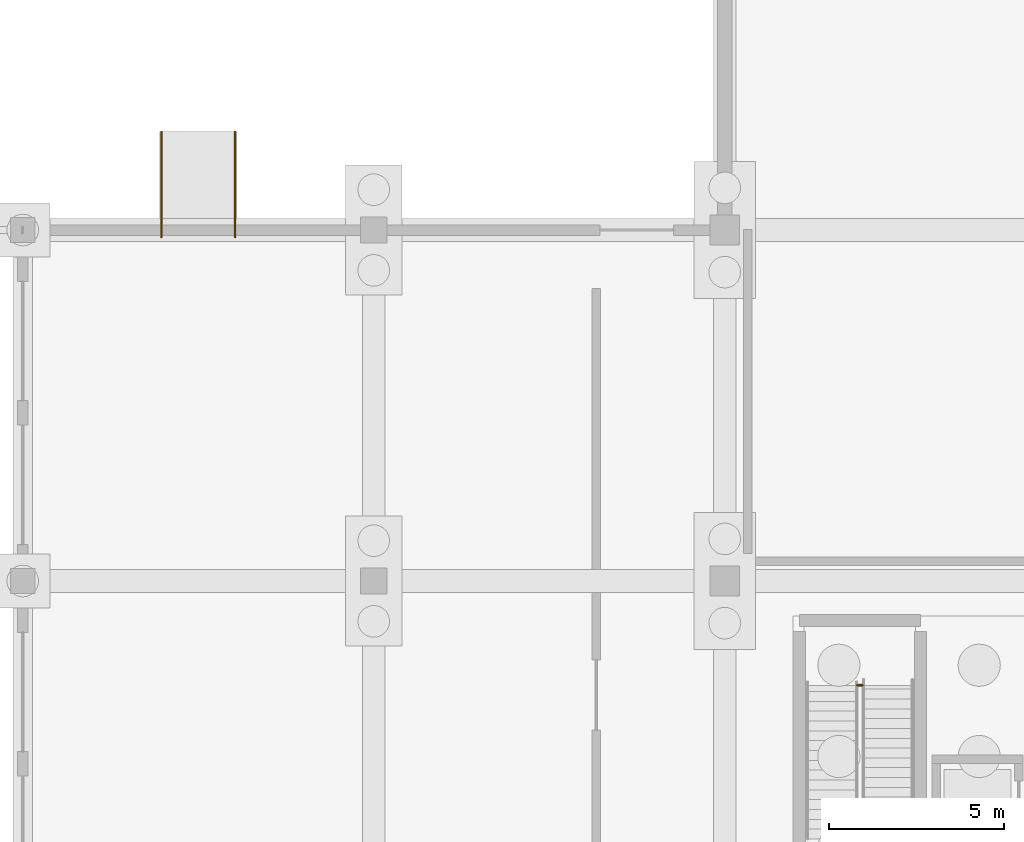
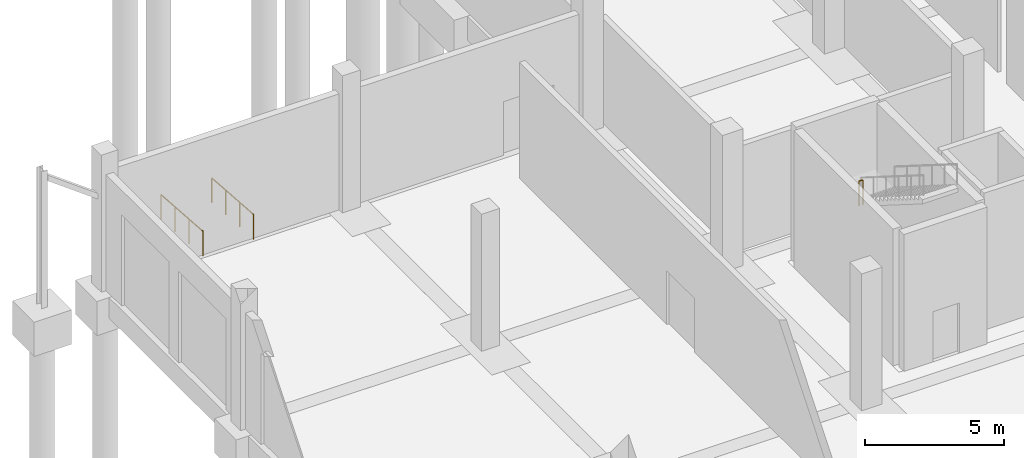
# One storey, part 116 of 140: 3 railings.
"""IFC4 building model written with IfcOpenShell, lengths in metres."""

from ifc_helpers import new_model, si_unit, direction, frame, origin, origin_2d, place, context, subcontext, project, spatial, circle, extrude, material, layer, layer_set, type_object, element, save


model = new_model("IFC4")

# Units and contexts
model_context = context("Model", 3, precision=1e-05, world=origin(), true_north=direction((0.0, 1.0)))
body_context = subcontext(model_context, "Body", "Model", "MODEL_VIEW")
ifc_project = project(units=[si_unit("LENGTHUNIT", "METRE"), si_unit("AREAUNIT", "SQUARE_METRE"), si_unit("VOLUMEUNIT", "CUBIC_METRE"), si_unit("PLANEANGLEUNIT", "RADIAN"), si_unit("MASSUNIT", "GRAM", prefix="KILO")], contexts=[model_context])

# Site, building, storey
site_placement = place(None, origin())
site = spatial("IfcSite", under=ifc_project, at=site_placement, CompositionType="ELEMENT")
building_placement = place(site_placement, origin())
building = spatial("IfcBuilding", under=site, at=building_placement, Name="Corvandel Quay Wholesale Market", CompositionType="ELEMENT")
storey_placement = place(building_placement, origin())
storey = spatial("IfcBuildingStorey", under=building, at=storey_placement, Name="L00", CompositionType="ELEMENT", Elevation=0.0)

# Railings
ifc_material_1 = material(Name="Hot-dip galvanised painted steel", Category="steel")
ifc_layer_1 = layer(ifc_material_1, 0.06005859375)
ifc_layer_set_1 = layer_set([ifc_layer_1], Name="Hot-dip galvanised painted steel")
railing_type_1 = type_object("IfcRailingType", Name="Galvanised Steel Guard Balustrade GR01 1100mm", PredefinedType="BALUSTRADE", material=ifc_layer_set_1)
for number, where, name in (
    (1, (3.949951171875, 112.800048828125, -0.219970703125), "North Dock Apron Accessible Ramp Guard GR-0062"),
    (2, (6.050048828125, 112.800048828125, -0.219970703125), "North Dock Apron Accessible Ramp Guard GR-0063"),
):
    element("IfcRailing", number, at=place(storey_placement, frame(where)), inside=storey, type_object=railing_type_1, Name=name, PredefinedType="BALUSTRADE", context=body_context, shape_type="SweptSolid", body=[
        extrude(circle(Radius=0.02392578125, at=origin_2d()), frame((0.0, 0.0, 1.076171875), z_axis=(0.0, -0.997322618282, 0.073127252529), x_axis=(1.0, 0.0, 0.0)), (0.0, 0.0, 1.0), 3.008056640625),
        extrude(circle(Radius=0.02099609375, at=origin_2d()), origin(), (0.0, 0.0, 1.0), 1.052001953125),
        extrude(circle(Radius=0.02099609375, at=origin_2d()), frame((0.0, -1.0, 0.0732421875)), (0.0, 0.0, 1.0), 1.052001953125),
        extrude(circle(Radius=0.02099609375, at=origin_2d()), frame((0.0, -2.0, 0.146728515625)), (0.0, 0.0, 1.0), 1.052001953125),
        extrude(circle(Radius=0.02099609375, at=origin_2d()), frame((0.0, -3.0, 0.219970703125)), (0.0, 0.0, 1.0), 1.052001953125),
    ])
ifc_material_2 = material(Name="Painted galvanised tubular steel", Category="steel")
ifc_layer_2 = layer(ifc_material_2, 0.054931640625)
ifc_layer_set_2 = layer_set([ifc_layer_2], Name="Painted galvanised tubular steel")
railing_type_2 = type_object("IfcRailingType", Name="Stairwell Inner Guard Railing GR02 1100mm", PredefinedType="GUARDRAIL", material=ifc_layer_set_2)
railing_placement = place(storey_placement, frame((23.77001953125, 97.030029296875, 3.0)))
element("IfcRailing", 3, at=railing_placement, inside=storey, type_object=railing_type_2, Name="Stair Landing Well Guard 0112", PredefinedType="GUARDRAIL", context=body_context, shape_type="SweptSolid", body=[
    extrude(circle(Radius=0.02392578125, at=origin_2d()), frame((0.0, 0.0, 1.076171875), z_axis=(1.0, 0.0, 0.0), x_axis=(0.0, 1.0, 0.0)), (0.0, 0.0, 1.0), 0.159912109375),
    extrude(circle(Radius=0.02099609375, at=origin_2d()), origin(), (0.0, 0.0, 1.0), 1.052001953125),
    extrude(circle(Radius=0.02099609375, at=origin_2d()), frame((0.159912109375, 0.0, 0.0)), (0.0, 0.0, 1.0), 1.052001953125),
])

save(model, "model.ifc")
